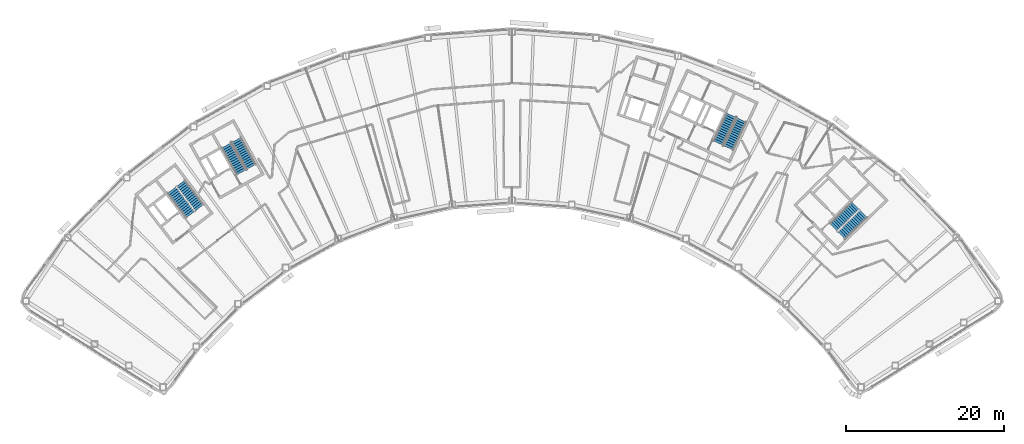
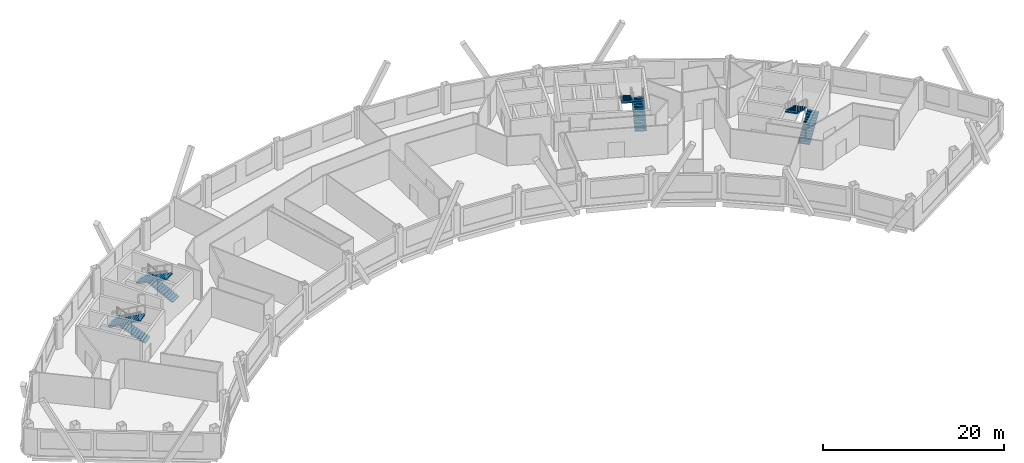
# One storey, part 11 of 13: 8 stair flights, 4 elements without a shape of their own.
"""IFC4 building model written with IfcOpenShell, lengths in metres."""

from ifc_helpers import new_model, si_unit, direction, frame, origin, place, context, subcontext, project, spatial, polyline, outline, extrude, material, type_object, element, aggregate, save


model = new_model("IFC4")

# Units and contexts
model_context = context("Model", 3, precision=1e-05, world=origin(), true_north=direction((0.0, 1.0)))
body_context = subcontext(model_context, "Body", "Model", "MODEL_VIEW")
ifc_project = project(units=[si_unit("LENGTHUNIT", "METRE"), si_unit("AREAUNIT", "SQUARE_METRE"), si_unit("VOLUMEUNIT", "CUBIC_METRE"), si_unit("PLANEANGLEUNIT", "RADIAN"), si_unit("MASSUNIT", "GRAM", prefix="KILO")], contexts=[model_context])

# Site, building, storey
site_placement = place(None, origin())
site = spatial("IfcSite", under=ifc_project, at=site_placement, CompositionType="ELEMENT")
building_placement = place(site_placement, origin())
building = spatial("IfcBuilding", under=site, at=building_placement, Name="Tuul Gate Civic Tower", CompositionType="ELEMENT")
storey_placement = place(building_placement, frame((0.0, 0.0, 294.199951171875)))
storey = spatial("IfcBuildingStorey", under=building, at=storey_placement, Name="Level 66", CompositionType="ELEMENT", Elevation=294.199951171875)

# Stair, stair flights
ifc_material_1 = material(Name="Concrete C40/50", Category="concrete")
stair_type = type_object("IfcStairType", Name="Exit stair", PredefinedType="HALF_TURN_STAIR", material=ifc_material_1)
stair_1_placement = place(storey_placement, origin())
stair_1 = element("IfcStair", 1, at=stair_1_placement, inside=storey, type_object=stair_type, Name="Level 66 ST-1", PredefinedType="HALF_TURN_STAIR")
ifc_material_2 = material(Name="Concrete C40/50", Category="concrete")
stair_flight_type = type_object("IfcStairFlightType", Name="Exit stair flight", PredefinedType="STRAIGHT", material=ifc_material_2)
stair_flight_1_placement = place(storey_placement, frame((-32.875244140625, -13.066650390625, 0.0), z_axis=(0.0, 0.0, 1.0), x_axis=(-0.605764474941, 0.795644016442, 0.0)))
stair_flight_1 = element("IfcStairFlight", 2, at=stair_flight_1_placement, type_object=stair_flight_type, Name="ST-1 flight 1", NumberOfRisers=14, NumberOfTreads=13, PredefinedType="STRAIGHT", RiserHeight=0.15, TreadLength=0.3, context=body_context, shape_type="SweptSolid", body=[
    extrude(outline(polyline([(0.0, 0.0), (0.0, 0.14990234375), (0.300048828125, 0.14990234375), (0.300048828125, 0.300048828125), (0.60009765625, 0.300048828125), (0.60009765625, 0.449951171875), (0.89990234375, 0.449951171875), (0.89990234375, 0.60009765625), (1.199951171875, 0.60009765625), (1.199951171875, 0.75), (1.5, 0.75), (1.5, 0.89990234375), (1.800048828125, 0.89990234375), (1.800048828125, 1.050048828125), (2.10009765625, 1.050048828125), (2.10009765625, 1.199951171875), (2.39990234375, 1.199951171875), (2.39990234375, 1.35009765625), (2.699951171875, 1.35009765625), (2.699951171875, 1.5), (3.0, 1.5), (3.0, 1.64990234375), (3.300048828125, 1.64990234375), (3.300048828125, 1.800048828125), (3.60009765625, 1.800048828125), (3.60009765625, 1.949951171875), (3.89990234375, 1.949951171875), (3.89990234375, 2.10009765625), (3.89990234375, 1.782470703125), (0.335205078125, 0.0), (0.0, 0.0)])), frame((0.0, 0.675048828125, 0.0), z_axis=(0.0, -1.0, 0.0), x_axis=(1.0, 0.0, 0.0)), (0.0, 0.0, 1.0), 1.35009765625),
])
stair_flight_2_placement = place(storey_placement, frame((-36.391357421875, -10.842041015625, 2.10009765625), z_axis=(0.0, 0.0, 1.0), x_axis=(0.605764474941, -0.795644016442, 0.0)))
stair_flight_2 = element("IfcStairFlight", 3, at=stair_flight_2_placement, type_object=stair_flight_type, Name="ST-1 flight 2", NumberOfRisers=14, NumberOfTreads=13, PredefinedType="STRAIGHT", RiserHeight=0.15, TreadLength=0.3, context=body_context, shape_type="SweptSolid", body=[
    extrude(outline(polyline([(0.0, 0.0), (0.0, 0.14990234375), (0.300048828125, 0.14990234375), (0.300048828125, 0.300048828125), (0.60009765625, 0.300048828125), (0.60009765625, 0.449951171875), (0.89990234375, 0.449951171875), (0.89990234375, 0.60009765625), (1.199951171875, 0.60009765625), (1.199951171875, 0.75), (1.5, 0.75), (1.5, 0.89990234375), (1.800048828125, 0.89990234375), (1.800048828125, 1.050048828125), (2.10009765625, 1.050048828125), (2.10009765625, 1.199951171875), (2.39990234375, 1.199951171875), (2.39990234375, 1.35009765625), (2.699951171875, 1.35009765625), (2.699951171875, 1.5), (3.0, 1.5), (3.0, 1.64990234375), (3.300048828125, 1.64990234375), (3.300048828125, 1.800048828125), (3.60009765625, 1.800048828125), (3.60009765625, 1.949951171875), (3.89990234375, 1.949951171875), (3.89990234375, 2.10009765625), (3.89990234375, 1.782470703125), (0.335205078125, 0.0), (0.0, 0.0)])), frame((0.0, 0.675048828125, 0.0), z_axis=(0.0, -1.0, 0.0), x_axis=(1.0, 0.0, 0.0)), (0.0, 0.0, 1.0), 1.35009765625),
])
aggregate(stair_1, [stair_flight_1, stair_flight_2])

stair_2_placement = place(storey_placement, origin())
stair_2 = element("IfcStair", 4, at=stair_2_placement, inside=storey, type_object=stair_type, Name="Level 66 ST-2", PredefinedType="HALF_TURN_STAIR")
stair_flight_3_placement = place(storey_placement, frame((-26.29150390625, -7.87646484375, 0.0), z_axis=(0.0, 0.0, 1.0), x_axis=(-0.484761763766, 0.874646232708, 0.0)))
stair_flight_3 = element("IfcStairFlight", 5, at=stair_flight_3_placement, type_object=stair_flight_type, Name="ST-2 flight 1", NumberOfRisers=14, NumberOfTreads=13, PredefinedType="STRAIGHT", RiserHeight=0.15, TreadLength=0.3, context=body_context, shape_type="SweptSolid", body=[
    extrude(outline(polyline([(0.0, 0.0), (0.0, 0.14990234375), (0.300048828125, 0.14990234375), (0.300048828125, 0.300048828125), (0.60009765625, 0.300048828125), (0.60009765625, 0.449951171875), (0.89990234375, 0.449951171875), (0.89990234375, 0.60009765625), (1.199951171875, 0.60009765625), (1.199951171875, 0.75), (1.5, 0.75), (1.5, 0.89990234375), (1.800048828125, 0.89990234375), (1.800048828125, 1.050048828125), (2.10009765625, 1.050048828125), (2.10009765625, 1.199951171875), (2.39990234375, 1.199951171875), (2.39990234375, 1.35009765625), (2.699951171875, 1.35009765625), (2.699951171875, 1.5), (3.0, 1.5), (3.0, 1.64990234375), (3.300048828125, 1.64990234375), (3.300048828125, 1.800048828125), (3.60009765625, 1.800048828125), (3.60009765625, 1.949951171875), (3.89990234375, 1.949951171875), (3.89990234375, 2.10009765625), (3.89990234375, 1.782470703125), (0.335205078125, 0.0), (0.0, 0.0)])), frame((0.0, 0.675048828125, 0.0), z_axis=(0.0, -1.0, 0.0), x_axis=(1.0, 0.0, 0.0)), (0.0, 0.0, 1.0), 1.35009765625),
])
stair_flight_4_placement = place(storey_placement, frame((-29.450439453125, -5.168212890625, 2.10009765625), z_axis=(0.0, 0.0, 1.0), x_axis=(0.484761763766, -0.874646232708, 0.0)))
stair_flight_4 = element("IfcStairFlight", 6, at=stair_flight_4_placement, type_object=stair_flight_type, Name="ST-2 flight 2", NumberOfRisers=14, NumberOfTreads=13, PredefinedType="STRAIGHT", RiserHeight=0.15, TreadLength=0.3, context=body_context, shape_type="SweptSolid", body=[
    extrude(outline(polyline([(0.0, 0.0), (0.0, 0.14990234375), (0.300048828125, 0.14990234375), (0.300048828125, 0.300048828125), (0.60009765625, 0.300048828125), (0.60009765625, 0.449951171875), (0.89990234375, 0.449951171875), (0.89990234375, 0.60009765625), (1.199951171875, 0.60009765625), (1.199951171875, 0.75), (1.5, 0.75), (1.5, 0.89990234375), (1.800048828125, 0.89990234375), (1.800048828125, 1.050048828125), (2.10009765625, 1.050048828125), (2.10009765625, 1.199951171875), (2.39990234375, 1.199951171875), (2.39990234375, 1.35009765625), (2.699951171875, 1.35009765625), (2.699951171875, 1.5), (3.0, 1.5), (3.0, 1.64990234375), (3.300048828125, 1.64990234375), (3.300048828125, 1.800048828125), (3.60009765625, 1.800048828125), (3.60009765625, 1.949951171875), (3.89990234375, 1.949951171875), (3.89990234375, 2.10009765625), (3.89990234375, 1.782470703125), (0.335205078125, 0.0), (0.0, 0.0)])), frame((0.0, 0.675048828125, 0.0), z_axis=(0.0, -1.0, 0.0), x_axis=(1.0, 0.0, 0.0)), (0.0, 0.0, 1.0), 1.35009765625),
])
aggregate(stair_2, [stair_flight_3, stair_flight_4])

stair_3_placement = place(storey_placement, origin())
stair_3 = element("IfcStair", 7, at=stair_3_placement, inside=storey, type_object=stair_type, Name="Level 66 ST-3", PredefinedType="HALF_TURN_STAIR")
stair_flight_5_placement = place(storey_placement, frame((48.61376953125, -16.581787109375, 0.0), z_axis=(0.0, 0.0, 1.0), x_axis=(0.714127290059, 0.700015866672, 0.0)))
stair_flight_5 = element("IfcStairFlight", 8, at=stair_flight_5_placement, type_object=stair_flight_type, Name="ST-3 flight 1", NumberOfRisers=14, NumberOfTreads=13, PredefinedType="STRAIGHT", RiserHeight=0.15, TreadLength=0.3, context=body_context, shape_type="SweptSolid", body=[
    extrude(outline(polyline([(0.0, 0.0), (0.0, 0.14990234375), (0.300048828125, 0.14990234375), (0.300048828125, 0.300048828125), (0.60009765625, 0.300048828125), (0.60009765625, 0.449951171875), (0.89990234375, 0.449951171875), (0.89990234375, 0.60009765625), (1.199951171875, 0.60009765625), (1.199951171875, 0.75), (1.5, 0.75), (1.5, 0.89990234375), (1.800048828125, 0.89990234375), (1.800048828125, 1.050048828125), (2.10009765625, 1.050048828125), (2.10009765625, 1.199951171875), (2.39990234375, 1.199951171875), (2.39990234375, 1.35009765625), (2.699951171875, 1.35009765625), (2.699951171875, 1.5), (3.0, 1.5), (3.0, 1.64990234375), (3.300048828125, 1.64990234375), (3.300048828125, 1.800048828125), (3.60009765625, 1.800048828125), (3.60009765625, 1.949951171875), (3.89990234375, 1.949951171875), (3.89990234375, 2.10009765625), (3.89990234375, 1.782470703125), (0.335205078125, 0.0), (0.0, 0.0)])), frame((0.0, 0.675048828125, 0.0), z_axis=(0.0, -1.0, 0.0), x_axis=(1.0, 0.0, 0.0)), (0.0, 0.0, 1.0), 1.35009765625),
])
stair_flight_6_placement = place(storey_placement, frame((50.3837890625, -12.816162109375, 2.10009765625), z_axis=(0.0, 0.0, 1.0), x_axis=(-0.714127290059, -0.700015866672, 0.0)))
stair_flight_6 = element("IfcStairFlight", 9, at=stair_flight_6_placement, type_object=stair_flight_type, Name="ST-3 flight 2", NumberOfRisers=14, NumberOfTreads=13, PredefinedType="STRAIGHT", RiserHeight=0.15, TreadLength=0.3, context=body_context, shape_type="SweptSolid", body=[
    extrude(outline(polyline([(0.0, 0.0), (0.0, 0.14990234375), (0.300048828125, 0.14990234375), (0.300048828125, 0.300048828125), (0.60009765625, 0.300048828125), (0.60009765625, 0.449951171875), (0.89990234375, 0.449951171875), (0.89990234375, 0.60009765625), (1.199951171875, 0.60009765625), (1.199951171875, 0.75), (1.5, 0.75), (1.5, 0.89990234375), (1.800048828125, 0.89990234375), (1.800048828125, 1.050048828125), (2.10009765625, 1.050048828125), (2.10009765625, 1.199951171875), (2.39990234375, 1.199951171875), (2.39990234375, 1.35009765625), (2.699951171875, 1.35009765625), (2.699951171875, 1.5), (3.0, 1.5), (3.0, 1.64990234375), (3.300048828125, 1.64990234375), (3.300048828125, 1.800048828125), (3.60009765625, 1.800048828125), (3.60009765625, 1.949951171875), (3.89990234375, 1.949951171875), (3.89990234375, 2.10009765625), (3.89990234375, 1.782470703125), (0.335205078125, 0.0), (0.0, 0.0)])), frame((0.0, 0.675048828125, 0.0), z_axis=(0.0, -1.0, 0.0), x_axis=(1.0, 0.0, 0.0)), (0.0, 0.0, 1.0), 1.35009765625),
])
aggregate(stair_3, [stair_flight_5, stair_flight_6])

stair_4_placement = place(storey_placement, origin())
stair_4 = element("IfcStair", 10, at=stair_4_placement, inside=storey, type_object=stair_type, Name="Level 66 ST-4", PredefinedType="HALF_TURN_STAIR")
stair_flight_7_placement = place(storey_placement, frame((34.278564453125, -5.478515625, 0.0), z_axis=(0.0, 0.0, 1.0), x_axis=(0.422576295988, 0.906327354806, 0.0)))
stair_flight_7 = element("IfcStairFlight", 11, at=stair_flight_7_placement, type_object=stair_flight_type, Name="ST-4 flight 1", NumberOfRisers=14, NumberOfTreads=13, PredefinedType="STRAIGHT", RiserHeight=0.15, TreadLength=0.3, context=body_context, shape_type="SweptSolid", body=[
    extrude(outline(polyline([(0.0, 0.0), (0.0, 0.14990234375), (0.300048828125, 0.14990234375), (0.300048828125, 0.300048828125), (0.60009765625, 0.300048828125), (0.60009765625, 0.449951171875), (0.89990234375, 0.449951171875), (0.89990234375, 0.60009765625), (1.199951171875, 0.60009765625), (1.199951171875, 0.75), (1.5, 0.75), (1.5, 0.89990234375), (1.800048828125, 0.89990234375), (1.800048828125, 1.050048828125), (2.10009765625, 1.050048828125), (2.10009765625, 1.199951171875), (2.39990234375, 1.199951171875), (2.39990234375, 1.35009765625), (2.699951171875, 1.35009765625), (2.699951171875, 1.5), (3.0, 1.5), (3.0, 1.64990234375), (3.300048828125, 1.64990234375), (3.300048828125, 1.800048828125), (3.60009765625, 1.800048828125), (3.60009765625, 1.949951171875), (3.89990234375, 1.949951171875), (3.89990234375, 2.10009765625), (3.89990234375, 1.782470703125), (0.335205078125, 0.0), (0.0, 0.0)])), frame((0.0, 0.675048828125, 0.0), z_axis=(0.0, -1.0, 0.0), x_axis=(1.0, 0.0, 0.0)), (0.0, 0.0, 1.0), 1.35009765625),
])
stair_flight_8_placement = place(storey_placement, frame((34.612548828125, -1.3310546875, 2.10009765625), z_axis=(0.0, 0.0, 1.0), x_axis=(-0.422576295988, -0.906327354806, 0.0)))
stair_flight_8 = element("IfcStairFlight", 12, at=stair_flight_8_placement, type_object=stair_flight_type, Name="ST-4 flight 2", NumberOfRisers=14, NumberOfTreads=13, PredefinedType="STRAIGHT", RiserHeight=0.15, TreadLength=0.3, context=body_context, shape_type="SweptSolid", body=[
    extrude(outline(polyline([(0.0, 0.0), (0.0, 0.14990234375), (0.300048828125, 0.14990234375), (0.300048828125, 0.300048828125), (0.60009765625, 0.300048828125), (0.60009765625, 0.449951171875), (0.89990234375, 0.449951171875), (0.89990234375, 0.60009765625), (1.199951171875, 0.60009765625), (1.199951171875, 0.75), (1.5, 0.75), (1.5, 0.89990234375), (1.800048828125, 0.89990234375), (1.800048828125, 1.050048828125), (2.10009765625, 1.050048828125), (2.10009765625, 1.199951171875), (2.39990234375, 1.199951171875), (2.39990234375, 1.35009765625), (2.699951171875, 1.35009765625), (2.699951171875, 1.5), (3.0, 1.5), (3.0, 1.64990234375), (3.300048828125, 1.64990234375), (3.300048828125, 1.800048828125), (3.60009765625, 1.800048828125), (3.60009765625, 1.949951171875), (3.89990234375, 1.949951171875), (3.89990234375, 2.10009765625), (3.89990234375, 1.782470703125), (0.335205078125, 0.0), (0.0, 0.0)])), frame((0.0, 0.675048828125, 0.0), z_axis=(0.0, -1.0, 0.0), x_axis=(1.0, 0.0, 0.0)), (0.0, 0.0, 1.0), 1.35009765625),
])
aggregate(stair_4, [stair_flight_7, stair_flight_8])

save(model, "model.ifc")
